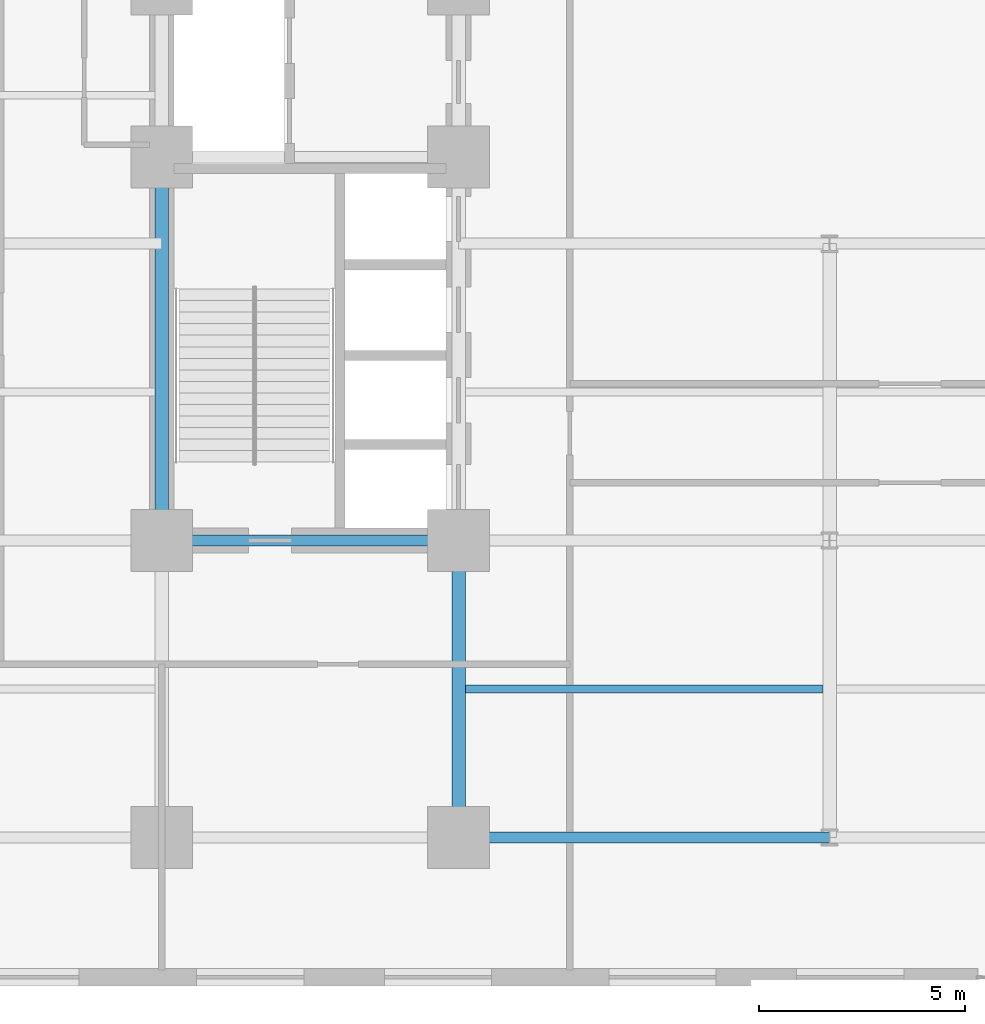
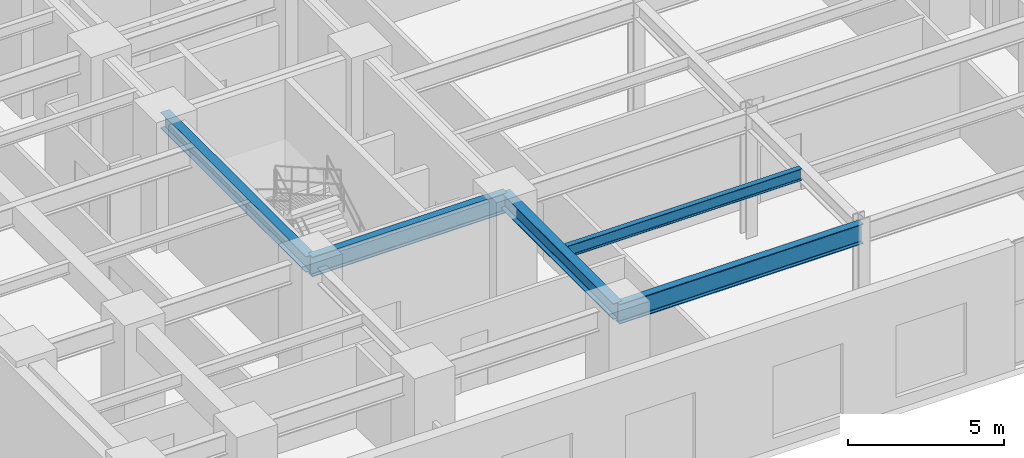
# One storey, part 5 of 23: 5 beams.
"""IFC4 building model written with IfcOpenShell, lengths in metres."""

from ifc_helpers import new_model, entity, si_unit, converted_unit, direction, frame, origin_with_axes, origin_2d_with_axis, place, context, subcontext, project, spatial, i_section, extrude, material, material_profile, profile_set, type_object, element, save


model = new_model("IFC4")

# Units and contexts
model_context = context("Model", 3, precision=1e-05, world=origin_with_axes(), true_north=direction((0.0, 1.0)))
body_context = subcontext(model_context, "Body", "Model", "MODEL_VIEW")
ifc_project = project(units=[si_unit("LENGTHUNIT", "METRE"), si_unit("AREAUNIT", "SQUARE_METRE"), si_unit("VOLUMEUNIT", "CUBIC_METRE"), converted_unit("PLANEANGLEUNIT", "DEGREE", entity("IfcPlaneAngleMeasure", 0.017453292519943295), si_unit("PLANEANGLEUNIT", "RADIAN"), dimensions=[0, 0, 0, 0, 0, 0, 0]), si_unit("MASSUNIT", "GRAM", prefix="KILO"), si_unit("THERMODYNAMICTEMPERATUREUNIT", "KELVIN")], contexts=[model_context])

# Site, building, storey
site_placement = place(None, origin_with_axes())
site = spatial("IfcSite", under=ifc_project, at=site_placement, CompositionType="ELEMENT")
building_placement = place(site_placement, origin_with_axes())
building = spatial("IfcBuilding", under=site, at=building_placement, Name="Varnlund Millrace Tower", CompositionType="ELEMENT")
storey_placement = place(building_placement, frame((0.0, 0.0, 5.7), z_axis=(0.0, 0.0, 1.0), x_axis=(1.0, 0.0, 0.0)))
storey = spatial("IfcBuildingStorey", under=building, at=storey_placement, Name="L01", CompositionType="ELEMENT", Elevation=5.7)

# Beams
ifc_material = material(Name="Steel ASTM A992 Grade 50", Category="steel")
ifc_material_profile_1 = material_profile(ifc_material, i_section(OverallWidth=0.328, OverallDepth=0.628, WebThickness=0.0165, FlangeThickness=0.0277, FilletRadius=0.018, at=origin_2d_with_axis()), Name="Steel ASTM A992 Grade 50")
ifc_profile_set_1 = profile_set([ifc_material_profile_1], Name="Steel ASTM A992 Grade 50")
beam_type_1 = type_object("IfcBeamType", Name="Type-Girder-W24X146", PredefinedType="USERDEFINED", material=ifc_profile_set_1)
beam_1_placement = place(storey_placement, frame((11.4, 10.8, 4.546), z_axis=(0.0, 1.0, 0.0), x_axis=(-1.0, 0.0, 0.0)))
element("IfcBeam", 1, at=beam_1_placement, inside=storey, type_object=beam_type_1, Name="Type-Girder-W24X146", ObjectType="GIRDER", PredefinedType="USERDEFINED", context=body_context, shape_type="SweptSolid", body=[
    extrude(i_section(OverallWidth=0.328, OverallDepth=0.628, WebThickness=0.0165, FlangeThickness=0.0277, FilletRadius=0.018, at=origin_2d_with_axis()), origin_with_axes(), (0.0, 0.0, 1.0), 9.3),
])
beam_2_placement = place(storey_placement, frame((18.6, 3.6, 4.546), z_axis=(0.0, 1.0, 0.0), x_axis=(-1.0, 0.0, 0.0)))
element("IfcBeam", 2, at=beam_2_placement, inside=storey, type_object=beam_type_1, Name="Type-Girder-W24X146", ObjectType="GIRDER", PredefinedType="USERDEFINED", context=body_context, shape_type="SweptSolid", body=[
    extrude(i_section(OverallWidth=0.328, OverallDepth=0.628, WebThickness=0.0165, FlangeThickness=0.0277, FilletRadius=0.018, at=origin_2d_with_axis()), origin_with_axes(), (0.0, 0.0, 1.0), 7.2),
])
ifc_material_profile_2 = material_profile(ifc_material, i_section(OverallWidth=0.266, OverallDepth=0.779, WebThickness=0.0165, FlangeThickness=0.03, FilletRadius=0.02, at=origin_2d_with_axis()), Name="Steel ASTM A992 Grade 50")
ifc_profile_set_2 = profile_set([ifc_material_profile_2], Name="Steel ASTM A992 Grade 50")
beam_type_2 = type_object("IfcBeamType", Name="Type-Girder-W30X148", PredefinedType="USERDEFINED", material=ifc_profile_set_2)
beam_3_placement = place(storey_placement, frame((18.6, 3.6, 4.4705), z_axis=(1.0, 0.0, 0.0), x_axis=(0.0, 1.0, 0.0)))
element("IfcBeam", 3, at=beam_3_placement, inside=storey, type_object=beam_type_2, Name="Type-Girder-W30X148", ObjectType="GIRDER", PredefinedType="USERDEFINED", context=body_context, shape_type="SweptSolid", body=[
    extrude(i_section(OverallWidth=0.266, OverallDepth=0.779, WebThickness=0.0165, FlangeThickness=0.03, FilletRadius=0.02, at=origin_2d_with_axis()), origin_with_axes(), (0.0, 0.0, 1.0), 9.0),
])
beam_4_placement = place(storey_placement, frame((11.4, 10.8, 4.4705), z_axis=(1.0, 0.0, 0.0), x_axis=(0.0, 1.0, 0.0)))
element("IfcBeam", 4, at=beam_4_placement, inside=storey, type_object=beam_type_2, Name="Type-Girder-W30X148", ObjectType="GIRDER", PredefinedType="USERDEFINED", context=body_context, shape_type="SweptSolid", body=[
    extrude(i_section(OverallWidth=0.266, OverallDepth=0.779, WebThickness=0.0165, FlangeThickness=0.03, FilletRadius=0.02, at=origin_2d_with_axis()), origin_with_axes(), (0.0, 0.0, 1.0), 7.2),
])
ifc_material_profile_3 = material_profile(ifc_material, i_section(OverallWidth=0.191, OverallDepth=0.457, WebThickness=0.009, FlangeThickness=0.0145, FilletRadius=0.013, at=origin_2d_with_axis()), Name="Steel ASTM A992 Grade 50")
ifc_profile_set_3 = profile_set([ifc_material_profile_3], Name="Steel ASTM A992 Grade 50")
beam_type_3 = type_object("IfcBeamType", Name="Type-Joist-W18X50", PredefinedType="JOIST", material=ifc_profile_set_3)
beam_5_placement = place(storey_placement, frame((18.764, 7.2, 4.6315), z_axis=(1.0, 0.0, 0.0), x_axis=(0.0, 1.0, 0.0)))
element("IfcBeam", 5, at=beam_5_placement, inside=storey, type_object=beam_type_3, Name="Type-Joist-W18X50", PredefinedType="JOIST", context=body_context, shape_type="SweptSolid", body=[
    extrude(i_section(OverallWidth=0.191, OverallDepth=0.457, WebThickness=0.009, FlangeThickness=0.0145, FilletRadius=0.013, at=origin_2d_with_axis()), origin_with_axes(), (0.0, 0.0, 1.0), 8.672),
])

save(model, "model.ifc")
